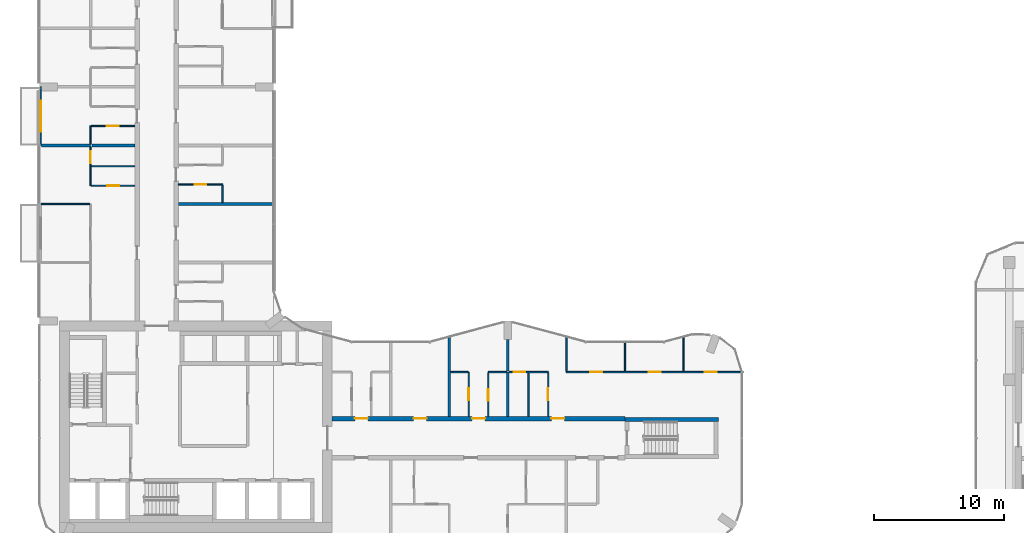
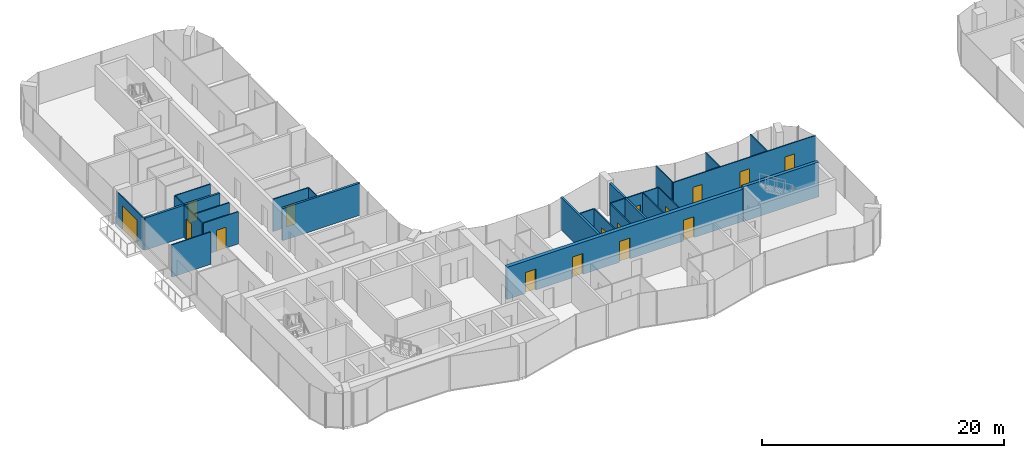
# One storey, part 16 of 24: 28 walls, 16 doors, 16 openings.
"""IFC4 building model written with IfcOpenShell, lengths in metres."""

from ifc_helpers import new_model, si_unit, direction, frame, frame_2d, origin, place, context, subcontext, project, spatial, rectangle, extrude, material, layer, layer_set, type_object, element, fill, save


model = new_model("IFC4")

# Units and contexts
model_context = context("Model", 3, precision=1e-05, world=origin(), true_north=direction((0.0, 1.0)))
body_context = subcontext(model_context, "Body", "Model", "MODEL_VIEW")
ifc_project = project(units=[si_unit("LENGTHUNIT", "METRE"), si_unit("AREAUNIT", "SQUARE_METRE"), si_unit("VOLUMEUNIT", "CUBIC_METRE"), si_unit("PLANEANGLEUNIT", "RADIAN"), si_unit("MASSUNIT", "GRAM", prefix="KILO")], contexts=[model_context])

# Site, building, storey
site_placement = place(None, origin())
site = spatial("IfcSite", under=ifc_project, at=site_placement, CompositionType="ELEMENT")
building_placement = place(site_placement, origin())
building = spatial("IfcBuilding", under=site, at=building_placement, Name="Plateau Cross Towers", CompositionType="ELEMENT")
storey_placement = place(building_placement, frame((0.0, 0.0, 51.300048828125)))
storey = spatial("IfcBuildingStorey", under=building, at=storey_placement, Name="L12", CompositionType="ELEMENT", Elevation=51.300048828125)

# Wall, opening, door
ifc_material_1 = material(Name="Aluminium framed glazing", Category="aluminium")
ifc_layer_1 = layer(ifc_material_1, 0.10009765625)
ifc_layer_set_1 = layer_set([ifc_layer_1], Name="Aluminium framed glazing")
wall_type_1 = type_object("IfcWallType", Name="Balcony screen wall 100", PredefinedType="STANDARD", material=ifc_layer_set_1)
wall_1_placement = place(storey_placement, frame((0.10009765625, 31.5, 0.0), z_axis=(0.0, 0.0, 1.0), x_axis=(0.0, 1.0, 0.0)))
wall_1 = element("IfcWall", 1, at=wall_1_placement, inside=storey, type_object=wall_type_1, Name="Balcony screen wall A-BAL-L12-02", PredefinedType="STANDARD", context=body_context, shape_type="SweptSolid", body=[
    extrude(rectangle(XDim=4.5, YDim=0.10009765625, at=frame_2d((2.25, 0.0))), origin(), (0.0, 0.0, 1.0), 3.25),
])
opening_1_placement = place(wall_1_placement, frame((1.050048828125, 0.0, 0.0)))
opening_1 = element("IfcOpeningElement", 2, at=opening_1_placement, cuts=wall_1, Name="Opening D-B24", PredefinedType="OPENING", context=body_context, shape_type="SweptSolid", body=[
    extrude(rectangle(XDim=2.39990234375, YDim=2.39990234375, at=frame_2d((1.199951171875, 1.199951171875))), frame((0.0, 0.06005859375, 0.0), z_axis=(0.0, -1.0, 0.0), x_axis=(1.0, 0.0, 0.0)), (0.0, 0.0, 1.0), 0.1201171875),
])
ifc_material_2 = material(Name="Aluminium frame, double glazing", Category="aluminium")
door_type_1 = type_object("IfcDoorType", Name="Balcony sliding door 2400", OperationType="NOTDEFINED", PredefinedType="DOOR", material=ifc_material_2)
door_1_placement = place(opening_1_placement, origin())
door_1 = element("IfcDoor", 3, at=door_1_placement, inside=storey, type_object=door_type_1, Name="Balcony door A-BAL-L12-02", OperationType="SINGLE_SWING_LEFT", OverallHeight=2.39990234375, OverallWidth=2.39990234375, PredefinedType="DOOR", context=body_context, shape_type="SweptSolid", body=[
    extrude(rectangle(XDim=2.39990234375, YDim=2.39990234375, at=frame_2d((1.199951171875, 1.199951171875))), frame((0.0, 0.02490234375, 0.0), z_axis=(0.0, -1.0, 0.0), x_axis=(1.0, 0.0, 0.0)), (0.0, 0.0, 1.0), 0.050048828125),
])
fill(opening_1, door_1)

# Wall, openings, doors
ifc_material_3 = material(Name="Concrete C60/75", Category="concrete")
ifc_layer_2 = layer(ifc_material_3, 0.35009765625)
ifc_layer_set_2 = layer_set([ifc_layer_2], Name="Concrete C60/75")
wall_type_2 = type_object("IfcWallType", Name="Corridor wall 350", PredefinedType="SHEAR", material=ifc_layer_set_2)
wall_2_placement = place(storey_placement, frame((22.5, 10.5, 0.0), z_axis=(0.0, 0.0, 1.0), x_axis=(1.0, 0.0, 0.0)))
wall_2 = element("IfcWall", 4, at=wall_2_placement, inside=storey, type_object=wall_type_2, Name="A-cw-S2@L12", PredefinedType="SHEAR", context=body_context, shape_type="SweptSolid", body=[
    extrude(rectangle(XDim=22.5, YDim=0.35009765625, at=frame_2d((11.25, 0.0))), origin(), (0.0, 0.0, 1.0), 3.25),
])
opening_2_placement = place(wall_2_placement, frame((1.75, 0.0, 0.0)))
opening_2 = element("IfcOpeningElement", 5, at=opening_2_placement, cuts=wall_2, Name="Opening 12-05", PredefinedType="OPENING", context=body_context, shape_type="SweptSolid", body=[
    extrude(rectangle(XDim=1.0, YDim=2.10009765625, at=frame_2d((0.5, 1.050048828125))), frame((0.0, 0.18505859375, 0.0), z_axis=(0.0, -1.0, 0.0), x_axis=(1.0, 0.0, 0.0)), (0.0, 0.0, 1.0), 0.3701171875),
])
opening_3_placement = place(wall_2_placement, frame((6.25, 0.0, 0.0)))
opening_3 = element("IfcOpeningElement", 6, at=opening_3_placement, cuts=wall_2, Name="Opening 12-06", PredefinedType="OPENING", context=body_context, shape_type="SweptSolid", body=[
    extrude(rectangle(XDim=1.0, YDim=2.10009765625, at=frame_2d((0.5, 1.050048828125))), frame((0.0, 0.18505859375, 0.0), z_axis=(0.0, -1.0, 0.0), x_axis=(1.0, 0.0, 0.0)), (0.0, 0.0, 1.0), 0.3701171875),
])
opening_4_placement = place(wall_2_placement, frame((10.75, 0.0, 0.0)))
opening_4 = element("IfcOpeningElement", 7, at=opening_4_placement, cuts=wall_2, Name="Opening 12-07", PredefinedType="OPENING", context=body_context, shape_type="SweptSolid", body=[
    extrude(rectangle(XDim=1.0, YDim=2.10009765625, at=frame_2d((0.5, 1.050048828125))), frame((0.0, 0.18505859375, 0.0), z_axis=(0.0, -1.0, 0.0), x_axis=(1.0, 0.0, 0.0)), (0.0, 0.0, 1.0), 0.3701171875),
])
opening_5_placement = place(wall_2_placement, frame((16.85009765625, 0.0, 0.0)))
opening_5 = element("IfcOpeningElement", 8, at=opening_5_placement, cuts=wall_2, Name="Opening 12-08", PredefinedType="OPENING", context=body_context, shape_type="SweptSolid", body=[
    extrude(rectangle(XDim=1.0, YDim=2.10009765625, at=frame_2d((0.5, 1.050048828125))), frame((0.0, 0.18505859375, 0.0), z_axis=(0.0, -1.0, 0.0), x_axis=(1.0, 0.0, 0.0)), (0.0, 0.0, 1.0), 0.3701171875),
])
ifc_material_4 = material(Name="Timber, fire-resisting leaf", Category="wood")
door_type_2 = type_object("IfcDoorType", Name="Flat entrance door 1000", OperationType="NOTDEFINED", PredefinedType="DOOR", material=ifc_material_4)
door_2_placement = place(opening_2_placement, origin())
door_2 = element("IfcDoor", 9, at=door_2_placement, inside=storey, type_object=door_type_2, Name="Door 12-05", OperationType="SINGLE_SWING_LEFT", OverallHeight=2.10009765625, OverallWidth=1.0, PredefinedType="DOOR", context=body_context, shape_type="SweptSolid", body=[
    extrude(rectangle(XDim=1.0, YDim=2.10009765625, at=frame_2d((0.5, 1.050048828125))), frame((0.0, 0.02490234375, 0.0), z_axis=(0.0, -1.0, 0.0), x_axis=(1.0, 0.0, 0.0)), (0.0, 0.0, 1.0), 0.050048828125),
])
fill(opening_2, door_2)
door_3_placement = place(opening_3_placement, origin())
door_3 = element("IfcDoor", 10, at=door_3_placement, inside=storey, type_object=door_type_2, Name="Door 12-06", OperationType="SINGLE_SWING_LEFT", OverallHeight=2.10009765625, OverallWidth=1.0, PredefinedType="DOOR", context=body_context, shape_type="SweptSolid", body=[
    extrude(rectangle(XDim=1.0, YDim=2.10009765625, at=frame_2d((0.5, 1.050048828125))), frame((0.0, 0.02490234375, 0.0), z_axis=(0.0, -1.0, 0.0), x_axis=(1.0, 0.0, 0.0)), (0.0, 0.0, 1.0), 0.050048828125),
])
fill(opening_3, door_3)
door_4_placement = place(opening_4_placement, origin())
door_4 = element("IfcDoor", 11, at=door_4_placement, inside=storey, type_object=door_type_2, Name="Door 12-07", OperationType="SINGLE_SWING_LEFT", OverallHeight=2.10009765625, OverallWidth=1.0, PredefinedType="DOOR", context=body_context, shape_type="SweptSolid", body=[
    extrude(rectangle(XDim=1.0, YDim=2.10009765625, at=frame_2d((0.5, 1.050048828125))), frame((0.0, 0.02490234375, 0.0), z_axis=(0.0, -1.0, 0.0), x_axis=(1.0, 0.0, 0.0)), (0.0, 0.0, 1.0), 0.050048828125),
])
fill(opening_4, door_4)
door_5_placement = place(opening_5_placement, origin())
door_5 = element("IfcDoor", 12, at=door_5_placement, inside=storey, type_object=door_type_2, Name="Door 12-08", OperationType="SINGLE_SWING_RIGHT", OverallHeight=2.10009765625, OverallWidth=1.0, PredefinedType="DOOR", context=body_context, shape_type="SweptSolid", body=[
    extrude(rectangle(XDim=1.0, YDim=2.10009765625, at=frame_2d((0.5, 1.050048828125))), frame((0.0, 0.02490234375, 0.0), z_axis=(0.0, -1.0, 0.0), x_axis=(1.0, 0.0, 0.0)), (0.0, 0.0, 1.0), 0.050048828125),
])
fill(opening_5, door_5)

# Walls
ifc_material_5 = material(Name="Gypsum board on steel studs", Category="steel")
ifc_layer_3 = layer(ifc_material_5, 0.10009765625)
ifc_layer_set_3 = layer_set([ifc_layer_3], Name="Gypsum board on steel studs")
wall_type_3 = type_object("IfcWallType", Name="Flat partition 100", PredefinedType="PARTITIONING", material=ifc_layer_set_3)
wall_3_placement = place(storey_placement, frame((32.949951171875, 14.074951171875, 0.0), z_axis=(0.0, 0.0, 1.0), x_axis=(-1.0, 0.0, 0.0)))
element("IfcWall", 13, at=wall_3_placement, inside=storey, type_object=wall_type_3, Name="Partition wall", PredefinedType="PARTITIONING", context=body_context, shape_type="SweptSolid", body=[
    extrude(rectangle(XDim=1.349853515625, YDim=0.10009765625, at=frame_2d((0.6748046875, 0.0))), origin(), (0.0, 0.0, 1.0), 3.25),
])
wall_4_placement = place(storey_placement, frame((35.89990234375, 14.074951171875, 0.0), z_axis=(0.0, 0.0, 1.0), x_axis=(-1.0, 0.0, 0.0)))
element("IfcWall", 14, at=wall_4_placement, inside=storey, type_object=wall_type_3, Name="Partition wall", PredefinedType="PARTITIONING", context=body_context, shape_type="SweptSolid", body=[
    extrude(rectangle(XDim=1.39990234375, YDim=0.10009765625, at=frame_2d((0.699951171875, 0.0))), origin(), (0.0, 0.0, 1.0), 3.25),
])

# Wall, opening, door
wall_5_placement = place(storey_placement, frame((39.10009765625, 14.074951171875, 0.0), z_axis=(0.0, 0.0, 1.0), x_axis=(-1.0, 0.0, 0.0)))
wall_5 = element("IfcWall", 15, at=wall_5_placement, inside=storey, type_object=wall_type_3, Name="Partition wall", PredefinedType="PARTITIONING", context=body_context, shape_type="SweptSolid", body=[
    extrude(rectangle(XDim=3.0, YDim=0.10009765625, at=frame_2d((1.5, 0.0))), origin(), (0.0, 0.0, 1.0), 3.25),
])
opening_6_placement = place(wall_5_placement, frame((1.75, 0.0, 0.0)))
opening_6 = element("IfcOpeningElement", 16, at=opening_6_placement, cuts=wall_5, Name="Opening 12-27", PredefinedType="OPENING", context=body_context, shape_type="SweptSolid", body=[
    extrude(rectangle(XDim=0.89990234375, YDim=2.10009765625, at=frame_2d((0.449951171875, 1.050048828125))), frame((0.0, 0.06005859375, 0.0), z_axis=(0.0, -1.0, 0.0), x_axis=(1.0, 0.0, 0.0)), (0.0, 0.0, 1.0), 0.1201171875),
])
ifc_material_6 = material(Name="Timber leaf", Category="wood")
door_type_3 = type_object("IfcDoorType", Name="Flat room door 900", OperationType="NOTDEFINED", PredefinedType="DOOR", material=ifc_material_6)
door_6_placement = place(opening_6_placement, origin())
door_6 = element("IfcDoor", 17, at=door_6_placement, inside=storey, type_object=door_type_3, Name="Door 12-27", OperationType="SINGLE_SWING_RIGHT", OverallHeight=2.10009765625, OverallWidth=0.89990234375, PredefinedType="DOOR", context=body_context, shape_type="SweptSolid", body=[
    extrude(rectangle(XDim=0.89990234375, YDim=2.10009765625, at=frame_2d((0.449951171875, 1.050048828125))), frame((0.0, 0.02490234375, 0.0), z_axis=(0.0, -1.0, 0.0), x_axis=(1.0, 0.0, 0.0)), (0.0, 0.0, 1.0), 0.050048828125),
])
fill(opening_6, door_6)

# Wall, openings, doors
wall_6_placement = place(storey_placement, frame((40.5, 14.074951171875, 0.0), z_axis=(0.0, 0.0, 1.0), x_axis=(1.0, 0.0, 0.0)))
wall_6 = element("IfcWall", 18, at=wall_6_placement, inside=storey, type_object=wall_type_3, Name="Partition wall", PredefinedType="PARTITIONING", context=body_context, shape_type="SweptSolid", body=[
    extrude(rectangle(XDim=13.580078125, YDim=0.10009765625, at=frame_2d((6.7900390625, 0.0))), origin(), (0.0, 0.0, 1.0), 3.25),
])
opening_7_placement = place(wall_6_placement, frame((1.85009765625, 0.0, 0.0)))
opening_7 = element("IfcOpeningElement", 19, at=opening_7_placement, cuts=wall_6, Name="Opening 12-29", PredefinedType="OPENING", context=body_context, shape_type="SweptSolid", body=[
    extrude(rectangle(XDim=0.89990234375, YDim=2.10009765625, at=frame_2d((0.449951171875, 1.050048828125))), frame((0.0, 0.06005859375, 0.0), z_axis=(0.0, -1.0, 0.0), x_axis=(1.0, 0.0, 0.0)), (0.0, 0.0, 1.0), 0.1201171875),
])
opening_8_placement = place(wall_6_placement, frame((6.35009765625, 0.0, 0.0)))
opening_8 = element("IfcOpeningElement", 20, at=opening_8_placement, cuts=wall_6, Name="Opening 12-30", PredefinedType="OPENING", context=body_context, shape_type="SweptSolid", body=[
    extrude(rectangle(XDim=0.89990234375, YDim=2.10009765625, at=frame_2d((0.449951171875, 1.050048828125))), frame((0.0, 0.06005859375, 0.0), z_axis=(0.0, -1.0, 0.0), x_axis=(1.0, 0.0, 0.0)), (0.0, 0.0, 1.0), 0.1201171875),
])
opening_9_placement = place(wall_6_placement, frame((10.64990234375, 0.0, 0.0)))
opening_9 = element("IfcOpeningElement", 21, at=opening_9_placement, cuts=wall_6, Name="Opening 12-31", PredefinedType="OPENING", context=body_context, shape_type="SweptSolid", body=[
    extrude(rectangle(XDim=0.89990234375, YDim=2.10009765625, at=frame_2d((0.449951171875, 1.050048828125))), frame((0.0, 0.06005859375, 0.0), z_axis=(0.0, -1.0, 0.0), x_axis=(1.0, 0.0, 0.0)), (0.0, 0.0, 1.0), 0.1201171875),
])
door_7_placement = place(opening_7_placement, origin())
door_7 = element("IfcDoor", 22, at=door_7_placement, inside=storey, type_object=door_type_3, Name="Door 12-29", OperationType="SINGLE_SWING_LEFT", OverallHeight=2.10009765625, OverallWidth=0.89990234375, PredefinedType="DOOR", context=body_context, shape_type="SweptSolid", body=[
    extrude(rectangle(XDim=0.89990234375, YDim=2.10009765625, at=frame_2d((0.449951171875, 1.050048828125))), frame((0.0, 0.02490234375, 0.0), z_axis=(0.0, -1.0, 0.0), x_axis=(1.0, 0.0, 0.0)), (0.0, 0.0, 1.0), 0.050048828125),
])
fill(opening_7, door_7)
door_8_placement = place(opening_8_placement, origin())
door_8 = element("IfcDoor", 23, at=door_8_placement, inside=storey, type_object=door_type_3, Name="Door 12-30", OperationType="SINGLE_SWING_RIGHT", OverallHeight=2.10009765625, OverallWidth=0.89990234375, PredefinedType="DOOR", context=body_context, shape_type="SweptSolid", body=[
    extrude(rectangle(XDim=0.89990234375, YDim=2.10009765625, at=frame_2d((0.449951171875, 1.050048828125))), frame((0.0, 0.02490234375, 0.0), z_axis=(0.0, -1.0, 0.0), x_axis=(1.0, 0.0, 0.0)), (0.0, 0.0, 1.0), 0.050048828125),
])
fill(opening_8, door_8)
door_9_placement = place(opening_9_placement, origin())
door_9 = element("IfcDoor", 24, at=door_9_placement, inside=storey, type_object=door_type_3, Name="Door 12-31", OperationType="SINGLE_SWING_RIGHT", OverallHeight=2.10009765625, OverallWidth=0.89990234375, PredefinedType="DOOR", context=body_context, shape_type="SweptSolid", body=[
    extrude(rectangle(XDim=0.89990234375, YDim=2.10009765625, at=frame_2d((0.449951171875, 1.050048828125))), frame((0.0, 0.02490234375, 0.0), z_axis=(0.0, -1.0, 0.0), x_axis=(1.0, 0.0, 0.0)), (0.0, 0.0, 1.0), 0.050048828125),
])
fill(opening_9, door_9)

# Wall
wall_7_placement = place(storey_placement, frame((3.875, 27.0, 0.0), z_axis=(0.0, 0.0, 1.0), x_axis=(-1.0, 0.0, 0.0)))
element("IfcWall", 25, at=wall_7_placement, inside=storey, type_object=wall_type_3, Name="Partition wall", PredefinedType="PARTITIONING", context=body_context, shape_type="SweptSolid", body=[
    extrude(rectangle(XDim=3.72509765625, YDim=0.10009765625, at=frame_2d((1.862548828125, 0.0))), origin(), (0.0, 0.0, 1.0), 3.25),
])

# Wall, opening, door
wall_8_placement = place(storey_placement, frame((3.97509765625, 28.39990234375, 0.0), z_axis=(0.0, 0.0, 1.0), x_axis=(1.0, 0.0, 0.0)))
wall_8 = element("IfcWall", 26, at=wall_8_placement, inside=storey, type_object=wall_type_3, Name="Partition wall", PredefinedType="PARTITIONING", context=body_context, shape_type="SweptSolid", body=[
    extrude(rectangle(XDim=3.349853515625, YDim=0.10009765625, at=frame_2d((1.6748046875, 0.0))), origin(), (0.0, 0.0, 1.0), 3.25),
])
opening_10_placement = place(wall_8_placement, frame((1.25, 0.0, 0.0)))
opening_10 = element("IfcOpeningElement", 27, at=opening_10_placement, cuts=wall_8, Name="Opening 12-32", PredefinedType="OPENING", context=body_context, shape_type="SweptSolid", body=[
    extrude(rectangle(XDim=0.89990234375, YDim=2.10009765625, at=frame_2d((0.449951171875, 1.050048828125))), frame((0.0, 0.06005859375, 0.0), z_axis=(0.0, -1.0, 0.0), x_axis=(1.0, 0.0, 0.0)), (0.0, 0.0, 1.0), 0.1201171875),
])
door_10_placement = place(opening_10_placement, origin())
door_10 = element("IfcDoor", 28, at=door_10_placement, inside=storey, type_object=door_type_3, Name="Door 12-32", OperationType="SINGLE_SWING_RIGHT", OverallHeight=2.10009765625, OverallWidth=0.89990234375, PredefinedType="DOOR", context=body_context, shape_type="SweptSolid", body=[
    extrude(rectangle(XDim=0.89990234375, YDim=2.10009765625, at=frame_2d((0.449951171875, 1.050048828125))), frame((0.0, 0.02490234375, 0.0), z_axis=(0.0, -1.0, 0.0), x_axis=(1.0, 0.0, 0.0)), (0.0, 0.0, 1.0), 0.050048828125),
])
fill(opening_10, door_10)

wall_9_placement = place(storey_placement, frame((14.074951171875, 28.5, 0.0), z_axis=(0.0, 0.0, 1.0), x_axis=(-1.0, 0.0, 0.0)))
wall_9 = element("IfcWall", 29, at=wall_9_placement, inside=storey, type_object=wall_type_3, Name="Partition wall", PredefinedType="PARTITIONING", context=body_context, shape_type="SweptSolid", body=[
    extrude(rectangle(XDim=3.39990234375, YDim=0.10009765625, at=frame_2d((1.699951171875, 0.0))), origin(), (0.0, 0.0, 1.0), 3.25),
])
opening_11_placement = place(wall_9_placement, frame((1.25, 0.0, 0.0)))
opening_11 = element("IfcOpeningElement", 30, at=opening_11_placement, cuts=wall_9, Name="Opening 12-42", PredefinedType="OPENING", context=body_context, shape_type="SweptSolid", body=[
    extrude(rectangle(XDim=0.89990234375, YDim=2.10009765625, at=frame_2d((0.449951171875, 1.050048828125))), frame((0.0, 0.06005859375, 0.0), z_axis=(0.0, -1.0, 0.0), x_axis=(1.0, 0.0, 0.0)), (0.0, 0.0, 1.0), 0.1201171875),
])
door_11_placement = place(opening_11_placement, origin())
door_11 = element("IfcDoor", 31, at=door_11_placement, inside=storey, type_object=door_type_3, Name="Door 12-42", OperationType="SINGLE_SWING_RIGHT", OverallHeight=2.10009765625, OverallWidth=0.89990234375, PredefinedType="DOOR", context=body_context, shape_type="SweptSolid", body=[
    extrude(rectangle(XDim=0.89990234375, YDim=2.10009765625, at=frame_2d((0.449951171875, 1.050048828125))), frame((0.0, 0.02490234375, 0.0), z_axis=(0.0, -1.0, 0.0), x_axis=(1.0, 0.0, 0.0)), (0.0, 0.0, 1.0), 0.050048828125),
])
fill(opening_11, door_11)

# Wall
wall_10_placement = place(storey_placement, frame((7.324951171875, 29.89990234375, 0.0), z_axis=(0.0, 0.0, 1.0), x_axis=(-1.0, 0.0, 0.0)))
element("IfcWall", 32, at=wall_10_placement, inside=storey, type_object=wall_type_3, Name="Partition wall", PredefinedType="PARTITIONING", context=body_context, shape_type="SweptSolid", body=[
    extrude(rectangle(XDim=3.349853515625, YDim=0.10009765625, at=frame_2d((1.6748046875, 0.0))), origin(), (0.0, 0.0, 1.0), 3.25),
])

# Wall, opening, door
wall_11_placement = place(storey_placement, frame((7.324951171875, 33.0, 0.0), z_axis=(0.0, 0.0, 1.0), x_axis=(-1.0, 0.0, 0.0)))
wall_11 = element("IfcWall", 33, at=wall_11_placement, inside=storey, type_object=wall_type_3, Name="Partition wall", PredefinedType="PARTITIONING", context=body_context, shape_type="SweptSolid", body=[
    extrude(rectangle(XDim=3.349853515625, YDim=0.10009765625, at=frame_2d((1.6748046875, 0.0))), origin(), (0.0, 0.0, 1.0), 3.25),
])
opening_12_placement = place(wall_11_placement, frame((1.25, 0.0, 0.0)))
opening_12 = element("IfcOpeningElement", 34, at=opening_12_placement, cuts=wall_11, Name="Opening 12-36", PredefinedType="OPENING", context=body_context, shape_type="SweptSolid", body=[
    extrude(rectangle(XDim=0.89990234375, YDim=2.10009765625, at=frame_2d((0.449951171875, 1.050048828125))), frame((0.0, 0.06005859375, 0.0), z_axis=(0.0, -1.0, 0.0), x_axis=(1.0, 0.0, 0.0)), (0.0, 0.0, 1.0), 0.1201171875),
])
door_12_placement = place(opening_12_placement, origin())
door_12 = element("IfcDoor", 35, at=door_12_placement, inside=storey, type_object=door_type_3, Name="Door 12-36", OperationType="SINGLE_SWING_RIGHT", OverallHeight=2.10009765625, OverallWidth=0.89990234375, PredefinedType="DOOR", context=body_context, shape_type="SweptSolid", body=[
    extrude(rectangle(XDim=0.89990234375, YDim=2.10009765625, at=frame_2d((0.449951171875, 1.050048828125))), frame((0.0, 0.02490234375, 0.0), z_axis=(0.0, -1.0, 0.0), x_axis=(1.0, 0.0, 0.0)), (0.0, 0.0, 1.0), 0.050048828125),
])
fill(opening_12, door_12)

wall_12_placement = place(storey_placement, frame((3.925048828125, 31.39990234375, 0.0), z_axis=(0.0, 0.0, 1.0), x_axis=(0.0, -1.0, 0.0)))
wall_12 = element("IfcWall", 36, at=wall_12_placement, inside=storey, type_object=wall_type_3, Name="Partition wall", PredefinedType="PARTITIONING", context=body_context, shape_type="SweptSolid", body=[
    extrude(rectangle(XDim=3.0, YDim=0.10009765625, at=frame_2d((1.5, 0.0))), origin(), (0.0, 0.0, 1.0), 3.25),
])
opening_13_placement = place(wall_12_placement, frame((0.35009765625, 0.0, 0.0)))
opening_13 = element("IfcOpeningElement", 37, at=opening_13_placement, cuts=wall_12, Name="Opening 12-33", PredefinedType="OPENING", context=body_context, shape_type="SweptSolid", body=[
    extrude(rectangle(XDim=0.89990234375, YDim=2.10009765625, at=frame_2d((0.449951171875, 1.050048828125))), frame((0.0, 0.06005859375, 0.0), z_axis=(0.0, -1.0, 0.0), x_axis=(1.0, 0.0, 0.0)), (0.0, 0.0, 1.0), 0.1201171875),
])
door_13_placement = place(opening_13_placement, origin())
door_13 = element("IfcDoor", 38, at=door_13_placement, inside=storey, type_object=door_type_3, Name="Door 12-33", OperationType="SINGLE_SWING_LEFT", OverallHeight=2.10009765625, OverallWidth=0.89990234375, PredefinedType="DOOR", context=body_context, shape_type="SweptSolid", body=[
    extrude(rectangle(XDim=0.89990234375, YDim=2.10009765625, at=frame_2d((0.449951171875, 1.050048828125))), frame((0.0, 0.02490234375, 0.0), z_axis=(0.0, -1.0, 0.0), x_axis=(1.0, 0.0, 0.0)), (0.0, 0.0, 1.0), 0.050048828125),
])
fill(opening_13, door_13)

# Walls
wall_13_placement = place(storey_placement, frame((3.925048828125, 33.0, 0.0), z_axis=(0.0, 0.0, 1.0), x_axis=(0.0, -1.0, 0.0)))
element("IfcWall", 39, at=wall_13_placement, inside=storey, type_object=wall_type_3, Name="Partition wall", PredefinedType="PARTITIONING", context=body_context, shape_type="SweptSolid", body=[
    extrude(rectangle(XDim=1.39990234375, YDim=0.10009765625, at=frame_2d((0.699951171875, 0.0))), origin(), (0.0, 0.0, 1.0), 3.25),
])
wall_14_placement = place(storey_placement, frame((14.074951171875, 27.10009765625, 0.0), z_axis=(0.0, 0.0, 1.0), x_axis=(0.0, 1.0, 0.0)))
element("IfcWall", 40, at=wall_14_placement, inside=storey, type_object=wall_type_3, Name="Partition wall", PredefinedType="PARTITIONING", context=body_context, shape_type="SweptSolid", body=[
    extrude(rectangle(XDim=1.349853515625, YDim=0.10009765625, at=frame_2d((0.6748046875, 0.0))), origin(), (0.0, 0.0, 1.0), 3.25),
])

# Wall, opening, door
wall_15_placement = place(storey_placement, frame((33.0, 10.675048828125, 0.0), z_axis=(0.0, 0.0, 1.0), x_axis=(0.0, 1.0, 0.0)))
wall_15 = element("IfcWall", 41, at=wall_15_placement, inside=storey, type_object=wall_type_3, Name="Partition wall", PredefinedType="PARTITIONING", context=body_context, shape_type="SweptSolid", body=[
    extrude(rectangle(XDim=3.39990234375, YDim=0.10009765625, at=frame_2d((1.699951171875, 0.0))), origin(), (0.0, 0.0, 1.0), 3.25),
])
opening_14_placement = place(wall_15_placement, frame((1.25, 0.0, 0.0)))
opening_14 = element("IfcOpeningElement", 42, at=opening_14_placement, cuts=wall_15, Name="Opening 12-25", PredefinedType="OPENING", context=body_context, shape_type="SweptSolid", body=[
    extrude(rectangle(XDim=0.89990234375, YDim=2.10009765625, at=frame_2d((0.449951171875, 1.050048828125))), frame((0.0, 0.06005859375, 0.0), z_axis=(0.0, -1.0, 0.0), x_axis=(1.0, 0.0, 0.0)), (0.0, 0.0, 1.0), 0.1201171875),
])
door_14_placement = place(opening_14_placement, origin())
door_14 = element("IfcDoor", 43, at=door_14_placement, inside=storey, type_object=door_type_3, Name="Door 12-25", OperationType="SINGLE_SWING_RIGHT", OverallHeight=2.10009765625, OverallWidth=0.89990234375, PredefinedType="DOOR", context=body_context, shape_type="SweptSolid", body=[
    extrude(rectangle(XDim=0.89990234375, YDim=2.10009765625, at=frame_2d((0.449951171875, 1.050048828125))), frame((0.0, 0.02490234375, 0.0), z_axis=(0.0, -1.0, 0.0), x_axis=(1.0, 0.0, 0.0)), (0.0, 0.0, 1.0), 0.050048828125),
])
fill(opening_14, door_14)

wall_16_placement = place(storey_placement, frame((34.5, 14.02490234375, 0.0), z_axis=(0.0, 0.0, 1.0), x_axis=(0.0, -1.0, 0.0)))
wall_16 = element("IfcWall", 44, at=wall_16_placement, inside=storey, type_object=wall_type_3, Name="Partition wall", PredefinedType="PARTITIONING", context=body_context, shape_type="SweptSolid", body=[
    extrude(rectangle(XDim=3.349853515625, YDim=0.10009765625, at=frame_2d((1.6748046875, 0.0))), origin(), (0.0, 0.0, 1.0), 3.25),
])
opening_15_placement = place(wall_16_placement, frame((1.25, 0.0, 0.0)))
opening_15 = element("IfcOpeningElement", 45, at=opening_15_placement, cuts=wall_16, Name="Opening 12-26", PredefinedType="OPENING", context=body_context, shape_type="SweptSolid", body=[
    extrude(rectangle(XDim=0.89990234375, YDim=2.10009765625, at=frame_2d((0.449951171875, 1.050048828125))), frame((0.0, 0.06005859375, 0.0), z_axis=(0.0, -1.0, 0.0), x_axis=(1.0, 0.0, 0.0)), (0.0, 0.0, 1.0), 0.1201171875),
])
door_15_placement = place(opening_15_placement, origin())
door_15 = element("IfcDoor", 46, at=door_15_placement, inside=storey, type_object=door_type_3, Name="Door 12-26", OperationType="SINGLE_SWING_RIGHT", OverallHeight=2.10009765625, OverallWidth=0.89990234375, PredefinedType="DOOR", context=body_context, shape_type="SweptSolid", body=[
    extrude(rectangle(XDim=0.89990234375, YDim=2.10009765625, at=frame_2d((0.449951171875, 1.050048828125))), frame((0.0, 0.02490234375, 0.0), z_axis=(0.0, -1.0, 0.0), x_axis=(1.0, 0.0, 0.0)), (0.0, 0.0, 1.0), 0.050048828125),
])
fill(opening_15, door_15)

# Wall
wall_17_placement = place(storey_placement, frame((37.60009765625, 10.675048828125, 0.0), z_axis=(0.0, 0.0, 1.0), x_axis=(0.0, 1.0, 0.0)))
element("IfcWall", 47, at=wall_17_placement, inside=storey, type_object=wall_type_3, Name="Partition wall", PredefinedType="PARTITIONING", context=body_context, shape_type="SweptSolid", body=[
    extrude(rectangle(XDim=3.349853515625, YDim=0.10009765625, at=frame_2d((1.6748046875, 0.0))), origin(), (0.0, 0.0, 1.0), 3.25),
])

# Wall, opening, door
wall_18_placement = place(storey_placement, frame((39.10009765625, 10.675048828125, 0.0), z_axis=(0.0, 0.0, 1.0), x_axis=(0.0, 1.0, 0.0)))
wall_18 = element("IfcWall", 48, at=wall_18_placement, inside=storey, type_object=wall_type_3, Name="Partition wall", PredefinedType="PARTITIONING", context=body_context, shape_type="SweptSolid", body=[
    extrude(rectangle(XDim=3.349853515625, YDim=0.10009765625, at=frame_2d((1.6748046875, 0.0))), origin(), (0.0, 0.0, 1.0), 3.25),
])
opening_16_placement = place(wall_18_placement, frame((1.25, 0.0, 0.0)))
opening_16 = element("IfcOpeningElement", 49, at=opening_16_placement, cuts=wall_18, Name="Opening 12-28", PredefinedType="OPENING", context=body_context, shape_type="SweptSolid", body=[
    extrude(rectangle(XDim=0.89990234375, YDim=2.10009765625, at=frame_2d((0.449951171875, 1.050048828125))), frame((0.0, 0.06005859375, 0.0), z_axis=(0.0, -1.0, 0.0), x_axis=(1.0, 0.0, 0.0)), (0.0, 0.0, 1.0), 0.1201171875),
])
door_16_placement = place(opening_16_placement, origin())
door_16 = element("IfcDoor", 50, at=door_16_placement, inside=storey, type_object=door_type_3, Name="Door 12-28", OperationType="SINGLE_SWING_RIGHT", OverallHeight=2.10009765625, OverallWidth=0.89990234375, PredefinedType="DOOR", context=body_context, shape_type="SweptSolid", body=[
    extrude(rectangle(XDim=0.89990234375, YDim=2.10009765625, at=frame_2d((0.449951171875, 1.050048828125))), frame((0.0, 0.02490234375, 0.0), z_axis=(0.0, -1.0, 0.0), x_axis=(1.0, 0.0, 0.0)), (0.0, 0.0, 1.0), 0.050048828125),
])
fill(opening_16, door_16)

# Walls
wall_19_placement = place(storey_placement, frame((40.5, 16.877685546875, 0.0), z_axis=(0.0, 0.0, 1.0), x_axis=(0.0, -1.0, 0.0)))
element("IfcWall", 51, at=wall_19_placement, inside=storey, type_object=wall_type_3, Name="Partition wall", PredefinedType="PARTITIONING", context=body_context, shape_type="SweptSolid", body=[
    extrude(rectangle(XDim=2.752685546875, YDim=0.10009765625, at=frame_2d((1.37646484375, 0.0))), origin(), (0.0, 0.0, 1.0), 3.25),
])
wall_20_placement = place(storey_placement, frame((45.0, 14.125, 0.0), z_axis=(0.0, 0.0, 1.0), x_axis=(0.0, 1.0, 0.0)))
element("IfcWall", 52, at=wall_20_placement, inside=storey, type_object=wall_type_3, Name="Partition wall", PredefinedType="PARTITIONING", context=body_context, shape_type="SweptSolid", body=[
    extrude(rectangle(XDim=2.34814453125, YDim=0.10009765625, at=frame_2d((1.174072265625, 0.0))), origin(), (0.0, 0.0, 1.0), 3.25),
])
wall_21_placement = place(storey_placement, frame((49.5, 14.125, 0.0), z_axis=(0.0, 0.0, 1.0), x_axis=(0.0, 1.0, 0.0)))
element("IfcWall", 53, at=wall_21_placement, inside=storey, type_object=wall_type_3, Name="Partition wall", PredefinedType="PARTITIONING", context=body_context, shape_type="SweptSolid", body=[
    extrude(rectangle(XDim=2.752685546875, YDim=0.10009765625, at=frame_2d((1.37646484375, 0.0))), origin(), (0.0, 0.0, 1.0), 3.25),
])
ifc_material_7 = material(Name="Gypsum board on steel studs, two layers each side", Category="steel")
ifc_layer_4 = layer(ifc_material_7, 0.199951171875)
ifc_layer_set_4 = layer_set([ifc_layer_4], Name="Gypsum board on steel studs, two layers each side")
wall_type_4 = type_object("IfcWallType", Name="Flat party wall 200", PredefinedType="PARTITIONING", material=ifc_layer_set_4)
wall_22_placement = place(storey_placement, frame((18.080078125, 27.0, 0.0), z_axis=(0.0, 0.0, 1.0), x_axis=(-1.0, 0.0, 0.0)))
element("IfcWall", 54, at=wall_22_placement, inside=storey, type_object=wall_type_4, Name="Party wall", PredefinedType="PARTITIONING", context=body_context, shape_type="SweptSolid", body=[
    extrude(rectangle(XDim=7.405029296875, YDim=0.199951171875, at=frame_2d((3.70263671875, 0.0))), origin(), (0.0, 0.0, 1.0), 3.25),
])
wall_23_placement = place(storey_placement, frame((7.324951171875, 31.5, 0.0), z_axis=(0.0, 0.0, 1.0), x_axis=(-1.0, 0.0, 0.0)))
element("IfcWall", 55, at=wall_23_placement, inside=storey, type_object=wall_type_4, Name="Party wall", PredefinedType="PARTITIONING", context=body_context, shape_type="SweptSolid", body=[
    extrude(rectangle(XDim=3.300048828125, YDim=0.199951171875, at=frame_2d((1.64990234375, 0.0))), origin(), (0.0, 0.0, 1.0), 3.25),
])
wall_24_placement = place(storey_placement, frame((0.14990234375, 31.5, 0.0), z_axis=(0.0, 0.0, 1.0), x_axis=(1.0, 0.0, 0.0)))
element("IfcWall", 56, at=wall_24_placement, inside=storey, type_object=wall_type_4, Name="Party wall", PredefinedType="PARTITIONING", context=body_context, shape_type="SweptSolid", body=[
    extrude(rectangle(XDim=3.775146484375, YDim=0.199951171875, at=frame_2d((1.8876953125, 0.0))), origin(), (0.0, 0.0, 1.0), 3.25),
])
wall_25_placement = place(storey_placement, frame((31.5, 10.675048828125, 0.0), z_axis=(0.0, 0.0, 1.0), x_axis=(0.0, 1.0, 0.0)))
element("IfcWall", 57, at=wall_25_placement, inside=storey, type_object=wall_type_4, Name="Party wall", PredefinedType="PARTITIONING", context=body_context, shape_type="SweptSolid", body=[
    extrude(rectangle(XDim=6.20263671875, YDim=0.199951171875, at=frame_2d((3.101318359375, 0.0))), origin(), (0.0, 0.0, 1.0), 3.25),
])
wall_26_placement = place(storey_placement, frame((36.0, 16.60009765625, 0.0), z_axis=(0.0, 0.0, 1.0), x_axis=(0.0, -1.0, 0.0)))
element("IfcWall", 58, at=wall_26_placement, inside=storey, type_object=wall_type_4, Name="Party wall", PredefinedType="PARTITIONING", context=body_context, shape_type="SweptSolid", body=[
    extrude(rectangle(XDim=2.425048828125, YDim=0.199951171875, at=frame_2d((1.21240234375, 0.0))), origin(), (0.0, 0.0, 1.0), 3.25),
])
wall_27_placement = place(storey_placement, frame((36.0, 10.675048828125, 0.0), z_axis=(0.0, 0.0, 1.0), x_axis=(0.0, 1.0, 0.0)))
element("IfcWall", 59, at=wall_27_placement, inside=storey, type_object=wall_type_4, Name="Party wall", PredefinedType="PARTITIONING", context=body_context, shape_type="SweptSolid", body=[
    extrude(rectangle(XDim=3.39990234375, YDim=0.199951171875, at=frame_2d((1.699951171875, 0.0))), origin(), (0.0, 0.0, 1.0), 3.25),
])
ifc_layer_5 = layer(ifc_material_3, 0.300048828125)
ifc_layer_set_5 = layer_set([ifc_layer_5], Name="Concrete C60/75")
wall_type_5 = type_object("IfcWallType", Name="Stair tower wall 300", PredefinedType="SHEAR", material=ifc_layer_set_5)
wall_28_placement = place(storey_placement, frame((45.0, 10.425048828125, 0.0), z_axis=(0.0, 0.0, 1.0), x_axis=(1.0, 0.0, 0.0)))
element("IfcWall", 60, at=wall_28_placement, inside=storey, type_object=wall_type_5, Name="A-end-E-N@L12", PredefinedType="SHEAR", context=body_context, shape_type="SweptSolid", body=[
    extrude(rectangle(XDim=7.199951171875, YDim=0.300048828125, at=frame_2d((3.60009765625, 0.0))), origin(), (0.0, 0.0, 1.0), 3.5),
])

save(model, "model.ifc")
